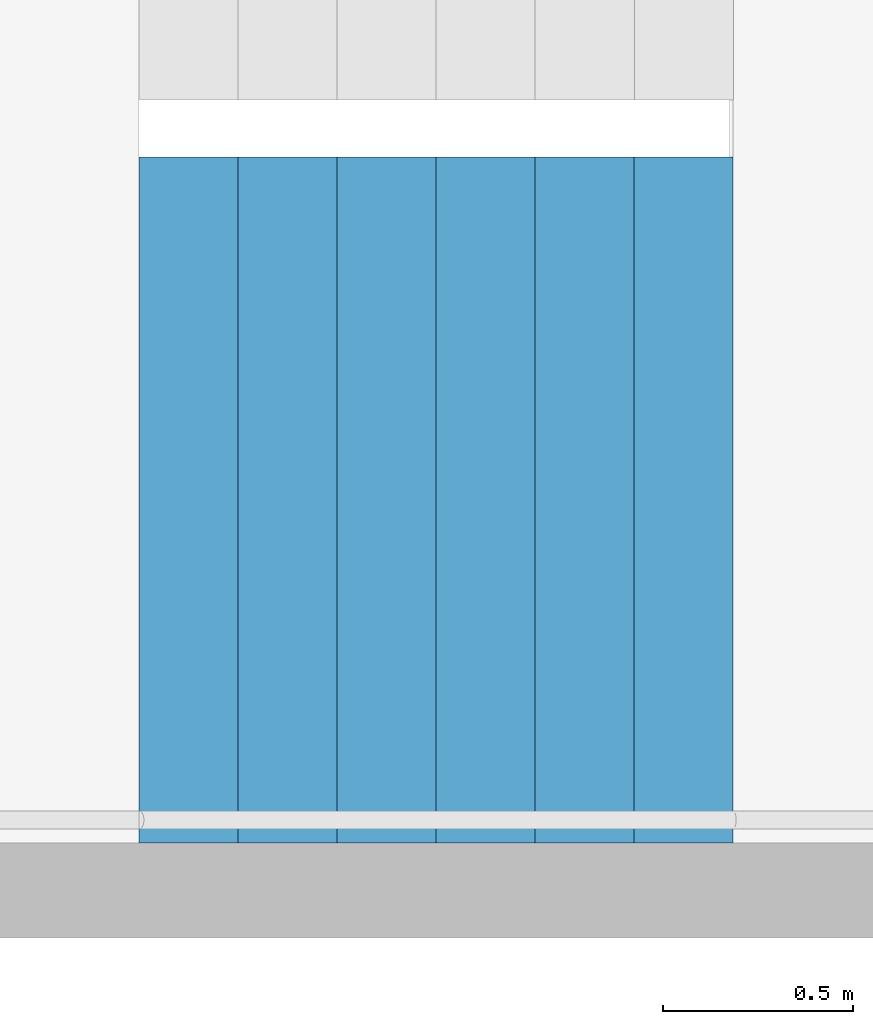
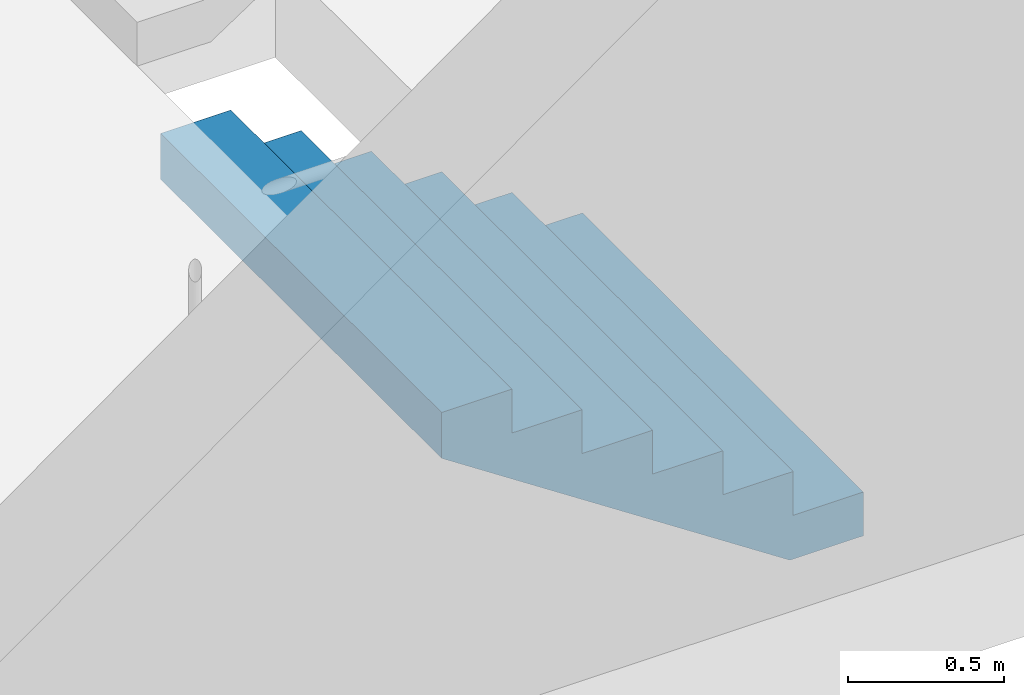
# One storey, part 39 of 53: 1 stair flight, 1 element without a shape of its own.
"""IFC4 building model written with IfcOpenShell, lengths in metres."""

from ifc_helpers import new_model, si_unit, direction, frame, origin, place, context, subcontext, project, spatial, triangles, material, type_object, element, aggregate, save


model = new_model("IFC4")

# Units and contexts
model_context = context("Model", 3, precision=1e-05, world=origin(), true_north=direction((0.0, 1.0)))
body_context = subcontext(model_context, "Body", "Model", "MODEL_VIEW")
ifc_project = project(units=[si_unit("LENGTHUNIT", "METRE"), si_unit("AREAUNIT", "SQUARE_METRE"), si_unit("VOLUMEUNIT", "CUBIC_METRE"), si_unit("PLANEANGLEUNIT", "RADIAN"), si_unit("MASSUNIT", "GRAM", prefix="KILO")], contexts=[model_context])

# Site, building, storey
site_placement = place(None, origin())
site = spatial("IfcSite", under=ifc_project, at=site_placement, CompositionType="ELEMENT")
building_placement = place(site_placement, origin())
building = spatial("IfcBuilding", under=site, at=building_placement, Name="Hakoniwa Tower and Hamabe Station Hall", CompositionType="ELEMENT")
storey_placement = place(building_placement, frame((0.0, 0.0, 15.0)))
storey = spatial("IfcBuildingStorey", under=building, at=storey_placement, Name="L03", CompositionType="ELEMENT", Elevation=15.0)

# Stair, stair flight
ifc_material_1 = material(Name="Concrete C40", Category="concrete")
stair_type = type_object("IfcStairType", Name="ESCAPE STAIR 1800", PredefinedType="HALF_TURN_STAIR", material=ifc_material_1)
stair_placement = place(storey_placement, origin())
stair = element("IfcStair", 1, at=stair_placement, inside=storey, type_object=stair_type, Name="Escape stair ST-3 L03", PredefinedType="HALF_TURN_STAIR")
ifc_material_2 = material(Name="Concrete C40", Category="concrete")
stair_flight_type = type_object("IfcStairFlightType", Name="STAIR FLIGHT 1800", PredefinedType="STRAIGHT", material=ifc_material_2)
stair_flight_placement = place(storey_placement, frame((24.39990234375, 4.64990234375, 0.0), z_axis=(0.0, 0.0, 1.0), x_axis=(-1.0, 0.0, 0.0)))
stair_flight = element("IfcStairFlight", 2, at=stair_flight_placement, type_object=stair_flight_type, Name="ST-3 flight 1", NumberOfRisers=7, NumberOfTreads=6, PredefinedType="STRAIGHT", RiserHeight=0.171428571, TreadLength=0.26, context=body_context, shape_type="Tessellation", body=[
    triangles([(0.0, 0.89990234375, 0.0), (0.260009765625, 0.89990234375, 0.0), (0.272216796875, 0.89990234375, 0.0), (0.52001953125, 0.89990234375, 0.163330078125), (0.780029296875, 0.89990234375, 0.334716796875), (1.0400390625, 0.89990234375, 0.506103515625), (1.300048828125, 0.89990234375, 0.677490234375), (1.56005859375, 0.89990234375, 0.84912109375), (1.56005859375, 0.89990234375, 1.028564453125), (1.300048828125, 0.89990234375, 1.028564453125), (1.300048828125, 0.89990234375, 0.857177734375), (1.0400390625, 0.89990234375, 0.857177734375), (1.0400390625, 0.89990234375, 0.685791015625), (0.780029296875, 0.89990234375, 0.685791015625), (0.780029296875, 0.89990234375, 0.514404296875), (0.52001953125, 0.89990234375, 0.514404296875), (0.52001953125, 0.89990234375, 0.3427734375), (0.272216796875, 0.89990234375, 0.3427734375), (0.260009765625, 0.89990234375, 0.3427734375), (0.260009765625, 0.89990234375, 0.17138671875), (0.0, 0.89990234375, 0.17138671875), (0.0, 0.06005859375, 0.0), (0.260009765625, 0.06005859375, 0.0), (0.272216796875, 0.06005859375, 0.0), (0.52001953125, 0.06005859375, 0.163330078125), (0.780029296875, 0.06005859375, 0.334716796875), (1.0400390625, 0.06005859375, 0.506103515625), (1.300048828125, 0.06005859375, 0.677490234375), (1.56005859375, 0.06005859375, 0.84912109375), (1.56005859375, 0.06005859375, 1.028564453125), (1.300048828125, 0.06005859375, 1.028564453125), (1.300048828125, 0.06005859375, 0.857177734375), (1.0400390625, 0.06005859375, 0.857177734375), (1.0400390625, 0.06005859375, 0.685791015625), (0.780029296875, 0.06005859375, 0.685791015625), (0.780029296875, 0.06005859375, 0.514404296875), (0.52001953125, 0.06005859375, 0.514404296875), (0.52001953125, 0.06005859375, 0.3427734375), (0.272216796875, 0.06005859375, 0.3427734375), (0.260009765625, 0.06005859375, 0.3427734375), (0.260009765625, 0.06005859375, 0.17138671875), (0.0, 0.06005859375, 0.17138671875), (0.0, 0.049072265625, 0.0), (0.260009765625, 0.049072265625, 0.0), (0.272216796875, 0.049072265625, 0.0), (0.52001953125, 0.049072265625, 0.163330078125), (0.780029296875, 0.049072265625, 0.334716796875), (1.0400390625, 0.049072265625, 0.506103515625), (1.300048828125, 0.049072265625, 0.677490234375), (1.56005859375, 0.049072265625, 0.84912109375), (1.56005859375, 0.049072265625, 1.028564453125), (1.300048828125, 0.049072265625, 1.028564453125), (1.300048828125, 0.049072265625, 0.857177734375), (1.0400390625, 0.049072265625, 0.857177734375), (1.0400390625, 0.049072265625, 0.685791015625), (0.780029296875, 0.049072265625, 0.685791015625), (0.780029296875, 0.049072265625, 0.514404296875), (0.52001953125, 0.049072265625, 0.514404296875), (0.52001953125, 0.049072265625, 0.3427734375), (0.272216796875, 0.049072265625, 0.3427734375), (0.260009765625, 0.049072265625, 0.3427734375), (0.260009765625, 0.049072265625, 0.17138671875), (0.0, 0.049072265625, 0.17138671875), (0.0, 0.0380859375, 0.0), (0.260009765625, 0.0380859375, 0.0), (0.272216796875, 0.0380859375, 0.0), (0.52001953125, 0.0380859375, 0.163330078125), (0.780029296875, 0.0380859375, 0.334716796875), (1.0400390625, 0.0380859375, 0.506103515625), (1.300048828125, 0.0380859375, 0.677490234375), (1.56005859375, 0.0380859375, 0.84912109375), (1.56005859375, 0.0380859375, 1.028564453125), (1.300048828125, 0.0380859375, 1.028564453125), (1.300048828125, 0.0380859375, 0.857177734375), (1.0400390625, 0.0380859375, 0.857177734375), (1.0400390625, 0.0380859375, 0.685791015625), (0.780029296875, 0.0380859375, 0.685791015625), (0.780029296875, 0.0380859375, 0.514404296875), (0.52001953125, 0.0380859375, 0.514404296875), (0.52001953125, 0.0380859375, 0.3427734375), (0.272216796875, 0.0380859375, 0.3427734375), (0.260009765625, 0.0380859375, 0.3427734375), (0.260009765625, 0.0380859375, 0.17138671875), (0.0, 0.0380859375, 0.17138671875), (0.0, 0.02734375, 0.0), (0.260009765625, 0.02734375, 0.0), (0.272216796875, 0.02734375, 0.0), (0.52001953125, 0.02734375, 0.163330078125), (0.780029296875, 0.02734375, 0.334716796875), (1.0400390625, 0.02734375, 0.506103515625), (1.300048828125, 0.02734375, 0.677490234375), (1.56005859375, 0.02734375, 0.84912109375), (1.56005859375, 0.02734375, 1.028564453125), (1.300048828125, 0.02734375, 1.028564453125), (1.300048828125, 0.02734375, 0.857177734375), (1.0400390625, 0.02734375, 0.857177734375), (1.0400390625, 0.02734375, 0.685791015625), (0.780029296875, 0.02734375, 0.685791015625), (0.780029296875, 0.02734375, 0.514404296875), (0.52001953125, 0.02734375, 0.514404296875), (0.52001953125, 0.02734375, 0.3427734375), (0.272216796875, 0.02734375, 0.3427734375), (0.260009765625, 0.02734375, 0.3427734375), (0.260009765625, 0.02734375, 0.17138671875), (0.0, 0.02734375, 0.17138671875), (0.0, 0.016357421875, 0.0), (0.260009765625, 0.016357421875, 0.0), (0.272216796875, 0.016357421875, 0.0), (0.52001953125, 0.016357421875, 0.163330078125), (0.780029296875, 0.016357421875, 0.334716796875), (1.0400390625, 0.016357421875, 0.506103515625), (1.300048828125, 0.016357421875, 0.677490234375), (1.56005859375, 0.016357421875, 0.84912109375), (1.56005859375, 0.016357421875, 1.028564453125), (1.300048828125, 0.016357421875, 1.028564453125), (1.300048828125, 0.016357421875, 0.857177734375), (1.0400390625, 0.016357421875, 0.857177734375), (1.0400390625, 0.016357421875, 0.685791015625), (0.780029296875, 0.016357421875, 0.685791015625), (0.780029296875, 0.016357421875, 0.514404296875), (0.52001953125, 0.016357421875, 0.514404296875), (0.52001953125, 0.016357421875, 0.3427734375), (0.272216796875, 0.016357421875, 0.3427734375), (0.260009765625, 0.016357421875, 0.3427734375), (0.260009765625, 0.016357421875, 0.17138671875), (0.0, 0.016357421875, 0.17138671875), (0.0, 0.00537109375, 0.0), (0.260009765625, 0.00537109375, 0.0), (0.272216796875, 0.00537109375, 0.0), (0.52001953125, 0.00537109375, 0.163330078125), (0.780029296875, 0.00537109375, 0.334716796875), (1.0400390625, 0.00537109375, 0.506103515625), (1.300048828125, 0.00537109375, 0.677490234375), (1.56005859375, 0.00537109375, 0.84912109375), (1.56005859375, 0.00537109375, 1.028564453125), (1.300048828125, 0.00537109375, 1.028564453125), (1.300048828125, 0.00537109375, 0.857177734375), (1.0400390625, 0.00537109375, 0.857177734375), (1.0400390625, 0.00537109375, 0.685791015625), (0.780029296875, 0.00537109375, 0.685791015625), (0.780029296875, 0.00537109375, 0.514404296875), (0.52001953125, 0.00537109375, 0.514404296875), (0.52001953125, 0.00537109375, 0.3427734375), (0.272216796875, 0.00537109375, 0.3427734375), (0.260009765625, 0.00537109375, 0.3427734375), (0.260009765625, 0.00537109375, 0.17138671875), (0.0, 0.00537109375, 0.17138671875), (0.0, -0.00537109375, 0.0), (0.260009765625, -0.00537109375, 0.0), (0.272216796875, -0.00537109375, 0.0), (0.52001953125, -0.00537109375, 0.163330078125), (0.780029296875, -0.00537109375, 0.334716796875), (1.0400390625, -0.00537109375, 0.506103515625), (1.300048828125, -0.00537109375, 0.677490234375), (1.56005859375, -0.00537109375, 0.84912109375), (1.56005859375, -0.00537109375, 1.028564453125), (1.300048828125, -0.00537109375, 1.028564453125), (1.300048828125, -0.00537109375, 0.857177734375), (1.0400390625, -0.00537109375, 0.857177734375), (1.0400390625, -0.00537109375, 0.685791015625), (0.780029296875, -0.00537109375, 0.685791015625), (0.780029296875, -0.00537109375, 0.514404296875), (0.52001953125, -0.00537109375, 0.514404296875), (0.52001953125, -0.00537109375, 0.3427734375), (0.272216796875, -0.00537109375, 0.3427734375), (0.260009765625, -0.00537109375, 0.3427734375), (0.260009765625, -0.00537109375, 0.17138671875), (0.0, -0.00537109375, 0.17138671875), (0.0, -0.016357421875, 0.0), (0.260009765625, -0.016357421875, 0.0), (0.272216796875, -0.016357421875, 0.0), (0.52001953125, -0.016357421875, 0.163330078125), (0.780029296875, -0.016357421875, 0.334716796875), (1.0400390625, -0.016357421875, 0.506103515625), (1.300048828125, -0.016357421875, 0.677490234375), (1.56005859375, -0.016357421875, 0.84912109375), (1.56005859375, -0.016357421875, 1.028564453125), (1.300048828125, -0.016357421875, 1.028564453125), (1.300048828125, -0.016357421875, 0.857177734375), (1.0400390625, -0.016357421875, 0.857177734375), (1.0400390625, -0.016357421875, 0.685791015625), (0.780029296875, -0.016357421875, 0.685791015625), (0.780029296875, -0.016357421875, 0.514404296875), (0.52001953125, -0.016357421875, 0.514404296875), (0.52001953125, -0.016357421875, 0.3427734375), (0.272216796875, -0.016357421875, 0.3427734375), (0.260009765625, -0.016357421875, 0.3427734375), (0.260009765625, -0.016357421875, 0.17138671875), (0.0, -0.016357421875, 0.17138671875), (0.0, -0.02734375, 0.0), (0.260009765625, -0.02734375, 0.0), (0.272216796875, -0.02734375, 0.0), (0.52001953125, -0.02734375, 0.163330078125), (0.780029296875, -0.02734375, 0.334716796875), (1.0400390625, -0.02734375, 0.506103515625), (1.300048828125, -0.02734375, 0.677490234375), (1.56005859375, -0.02734375, 0.84912109375), (1.56005859375, -0.02734375, 1.028564453125), (1.300048828125, -0.02734375, 1.028564453125), (1.300048828125, -0.02734375, 0.857177734375), (1.0400390625, -0.02734375, 0.857177734375), (1.0400390625, -0.02734375, 0.685791015625), (0.780029296875, -0.02734375, 0.685791015625), (0.780029296875, -0.02734375, 0.514404296875), (0.52001953125, -0.02734375, 0.514404296875), (0.52001953125, -0.02734375, 0.3427734375), (0.272216796875, -0.02734375, 0.3427734375), (0.260009765625, -0.02734375, 0.3427734375), (0.260009765625, -0.02734375, 0.17138671875), (0.0, -0.02734375, 0.17138671875), (0.0, -0.0380859375, 0.0), (0.260009765625, -0.0380859375, 0.0), (0.272216796875, -0.0380859375, 0.0), (0.52001953125, -0.0380859375, 0.163330078125), (0.780029296875, -0.0380859375, 0.334716796875), (1.0400390625, -0.0380859375, 0.506103515625), (1.300048828125, -0.0380859375, 0.677490234375), (1.56005859375, -0.0380859375, 0.84912109375), (1.56005859375, -0.0380859375, 1.028564453125), (1.300048828125, -0.0380859375, 1.028564453125), (1.300048828125, -0.0380859375, 0.857177734375), (1.0400390625, -0.0380859375, 0.857177734375), (1.0400390625, -0.0380859375, 0.685791015625), (0.780029296875, -0.0380859375, 0.685791015625), (0.780029296875, -0.0380859375, 0.514404296875), (0.52001953125, -0.0380859375, 0.514404296875), (0.52001953125, -0.0380859375, 0.3427734375), (0.272216796875, -0.0380859375, 0.3427734375), (0.260009765625, -0.0380859375, 0.3427734375), (0.260009765625, -0.0380859375, 0.17138671875), (0.0, -0.0380859375, 0.17138671875), (0.0, -0.049072265625, 0.0), (0.260009765625, -0.049072265625, 0.0), (0.272216796875, -0.049072265625, 0.0), (0.52001953125, -0.049072265625, 0.163330078125), (0.780029296875, -0.049072265625, 0.334716796875), (1.0400390625, -0.049072265625, 0.506103515625), (1.300048828125, -0.049072265625, 0.677490234375), (1.56005859375, -0.049072265625, 0.84912109375), (1.56005859375, -0.049072265625, 1.028564453125), (1.300048828125, -0.049072265625, 1.028564453125), (1.300048828125, -0.049072265625, 0.857177734375), (1.0400390625, -0.049072265625, 0.857177734375), (1.0400390625, -0.049072265625, 0.685791015625), (0.780029296875, -0.049072265625, 0.685791015625), (0.780029296875, -0.049072265625, 0.514404296875), (0.52001953125, -0.049072265625, 0.514404296875), (0.52001953125, -0.049072265625, 0.3427734375), (0.272216796875, -0.049072265625, 0.3427734375), (0.260009765625, -0.049072265625, 0.3427734375), (0.260009765625, -0.049072265625, 0.17138671875), (0.0, -0.049072265625, 0.17138671875), (0.0, -0.06005859375, 0.0), (0.260009765625, -0.06005859375, 0.0), (0.272216796875, -0.06005859375, 0.0), (0.52001953125, -0.06005859375, 0.163330078125), (0.780029296875, -0.06005859375, 0.334716796875), (1.0400390625, -0.06005859375, 0.506103515625), (1.300048828125, -0.06005859375, 0.677490234375), (1.56005859375, -0.06005859375, 0.84912109375), (1.56005859375, -0.06005859375, 1.028564453125), (1.300048828125, -0.06005859375, 1.028564453125), (1.300048828125, -0.06005859375, 0.857177734375), (1.0400390625, -0.06005859375, 0.857177734375), (1.0400390625, -0.06005859375, 0.685791015625), (0.780029296875, -0.06005859375, 0.685791015625), (0.780029296875, -0.06005859375, 0.514404296875), (0.52001953125, -0.06005859375, 0.514404296875), (0.52001953125, -0.06005859375, 0.3427734375), (0.272216796875, -0.06005859375, 0.3427734375), (0.260009765625, -0.06005859375, 0.3427734375), (0.260009765625, -0.06005859375, 0.17138671875), (0.0, -0.06005859375, 0.17138671875), (0.0, -0.89990234375, 0.0), (0.260009765625, -0.89990234375, 0.0), (0.272216796875, -0.89990234375, 0.0), (0.52001953125, -0.89990234375, 0.163330078125), (0.780029296875, -0.89990234375, 0.334716796875), (1.0400390625, -0.89990234375, 0.506103515625), (1.300048828125, -0.89990234375, 0.677490234375), (1.56005859375, -0.89990234375, 0.84912109375), (1.56005859375, -0.89990234375, 1.028564453125), (1.300048828125, -0.89990234375, 1.028564453125), (1.300048828125, -0.89990234375, 0.857177734375), (1.0400390625, -0.89990234375, 0.857177734375), (1.0400390625, -0.89990234375, 0.685791015625), (0.780029296875, -0.89990234375, 0.685791015625), (0.780029296875, -0.89990234375, 0.514404296875), (0.52001953125, -0.89990234375, 0.514404296875), (0.52001953125, -0.89990234375, 0.3427734375), (0.272216796875, -0.89990234375, 0.3427734375), (0.260009765625, -0.89990234375, 0.3427734375), (0.260009765625, -0.89990234375, 0.17138671875), (0.0, -0.89990234375, 0.17138671875)], [[2, 21, 20], [275, 293, 294], [2, 1, 21], [275, 294, 274], [3, 19, 18], [276, 291, 292], [3, 20, 19], [276, 292, 293], [3, 2, 20], [276, 293, 275], [4, 18, 17], [277, 290, 291], [4, 3, 18], [277, 291, 276], [5, 16, 15], [278, 288, 289], [5, 17, 16], [278, 289, 290], [5, 4, 17], [278, 290, 277], [6, 14, 13], [279, 286, 287], [6, 15, 14], [279, 287, 288], [6, 5, 15], [279, 288, 278], [7, 12, 11], [280, 284, 285], [7, 13, 12], [280, 285, 286], [7, 6, 13], [280, 286, 279], [8, 10, 9], [281, 282, 283], [8, 11, 10], [281, 283, 284], [8, 7, 11], [281, 284, 280], [1, 2, 23], [1, 23, 22], [22, 23, 44], [22, 44, 43], [43, 44, 65], [43, 65, 64], [64, 65, 86], [64, 86, 85], [85, 86, 107], [85, 107, 106], [106, 107, 128], [106, 128, 127], [127, 128, 149], [127, 149, 148], [148, 149, 170], [148, 170, 169], [169, 170, 191], [169, 191, 190], [190, 191, 212], [190, 212, 211], [211, 212, 233], [211, 233, 232], [232, 233, 254], [232, 254, 253], [253, 254, 275], [253, 275, 274], [2, 3, 24], [2, 24, 23], [23, 24, 45], [23, 45, 44], [44, 45, 66], [44, 66, 65], [65, 66, 87], [65, 87, 86], [86, 87, 108], [86, 108, 107], [107, 108, 129], [107, 129, 128], [128, 129, 150], [128, 150, 149], [149, 150, 171], [149, 171, 170], [170, 171, 192], [170, 192, 191], [191, 192, 213], [191, 213, 212], [212, 213, 234], [212, 234, 233], [233, 234, 255], [233, 255, 254], [254, 255, 276], [254, 276, 275], [3, 4, 25], [3, 25, 24], [24, 25, 46], [24, 46, 45], [45, 46, 67], [45, 67, 66], [66, 67, 88], [66, 88, 87], [87, 88, 109], [87, 109, 108], [108, 109, 130], [108, 130, 129], [129, 130, 151], [129, 151, 150], [150, 151, 172], [150, 172, 171], [171, 172, 193], [171, 193, 192], [192, 193, 214], [192, 214, 213], [213, 214, 235], [213, 235, 234], [234, 235, 256], [234, 256, 255], [255, 256, 277], [255, 277, 276], [4, 5, 26], [4, 26, 25], [25, 26, 47], [25, 47, 46], [46, 47, 68], [46, 68, 67], [67, 68, 89], [67, 89, 88], [88, 89, 110], [88, 110, 109], [109, 110, 131], [109, 131, 130], [130, 131, 152], [130, 152, 151], [151, 152, 173], [151, 173, 172], [172, 173, 194], [172, 194, 193], [193, 194, 215], [193, 215, 214], [214, 215, 236], [214, 236, 235], [235, 236, 257], [235, 257, 256], [256, 257, 278], [256, 278, 277], [5, 6, 27], [5, 27, 26], [26, 27, 48], [26, 48, 47], [47, 48, 69], [47, 69, 68], [68, 69, 90], [68, 90, 89], [89, 90, 111], [89, 111, 110], [110, 111, 132], [110, 132, 131], [131, 132, 153], [131, 153, 152], [152, 153, 174], [152, 174, 173], [173, 174, 195], [173, 195, 194], [194, 195, 216], [194, 216, 215], [215, 216, 237], [215, 237, 236], [236, 237, 258], [236, 258, 257], [257, 258, 279], [257, 279, 278], [6, 7, 28], [6, 28, 27], [27, 28, 49], [27, 49, 48], [48, 49, 70], [48, 70, 69], [69, 70, 91], [69, 91, 90], [90, 91, 112], [90, 112, 111], [111, 112, 133], [111, 133, 132], [132, 133, 154], [132, 154, 153], [153, 154, 175], [153, 175, 174], [174, 175, 196], [174, 196, 195], [195, 196, 217], [195, 217, 216], [216, 217, 238], [216, 238, 237], [237, 238, 259], [237, 259, 258], [258, 259, 280], [258, 280, 279], [7, 8, 29], [7, 29, 28], [28, 29, 50], [28, 50, 49], [49, 50, 71], [49, 71, 70], [70, 71, 92], [70, 92, 91], [91, 92, 113], [91, 113, 112], [112, 113, 134], [112, 134, 133], [133, 134, 155], [133, 155, 154], [154, 155, 176], [154, 176, 175], [175, 176, 197], [175, 197, 196], [196, 197, 218], [196, 218, 217], [217, 218, 239], [217, 239, 238], [238, 239, 260], [238, 260, 259], [259, 260, 281], [259, 281, 280], [8, 9, 30], [8, 30, 29], [29, 30, 51], [29, 51, 50], [50, 51, 72], [50, 72, 71], [71, 72, 93], [71, 93, 92], [92, 93, 114], [92, 114, 113], [113, 114, 135], [113, 135, 134], [134, 135, 156], [134, 156, 155], [155, 156, 177], [155, 177, 176], [176, 177, 198], [176, 198, 197], [197, 198, 219], [197, 219, 218], [218, 219, 240], [218, 240, 239], [239, 240, 261], [239, 261, 260], [260, 261, 282], [260, 282, 281], [9, 10, 31], [9, 31, 30], [30, 31, 52], [30, 52, 51], [51, 52, 73], [51, 73, 72], [72, 73, 94], [72, 94, 93], [93, 94, 115], [93, 115, 114], [114, 115, 136], [114, 136, 135], [135, 136, 157], [135, 157, 156], [156, 157, 178], [156, 178, 177], [177, 178, 199], [177, 199, 198], [198, 199, 220], [198, 220, 219], [219, 220, 241], [219, 241, 240], [240, 241, 262], [240, 262, 261], [261, 262, 283], [261, 283, 282], [10, 11, 32], [10, 32, 31], [31, 32, 53], [31, 53, 52], [52, 53, 74], [52, 74, 73], [73, 74, 95], [73, 95, 94], [94, 95, 116], [94, 116, 115], [115, 116, 137], [115, 137, 136], [136, 137, 158], [136, 158, 157], [157, 158, 179], [157, 179, 178], [178, 179, 200], [178, 200, 199], [199, 200, 221], [199, 221, 220], [220, 221, 242], [220, 242, 241], [241, 242, 263], [241, 263, 262], [262, 263, 284], [262, 284, 283], [11, 12, 33], [11, 33, 32], [32, 33, 54], [32, 54, 53], [53, 54, 75], [53, 75, 74], [74, 75, 96], [74, 96, 95], [95, 96, 117], [95, 117, 116], [116, 117, 138], [116, 138, 137], [137, 138, 159], [137, 159, 158], [158, 159, 180], [158, 180, 179], [179, 180, 201], [179, 201, 200], [200, 201, 222], [200, 222, 221], [221, 222, 243], [221, 243, 242], [242, 243, 264], [242, 264, 263], [263, 264, 285], [263, 285, 284], [12, 13, 34], [12, 34, 33], [33, 34, 55], [33, 55, 54], [54, 55, 76], [54, 76, 75], [75, 76, 97], [75, 97, 96], [96, 97, 118], [96, 118, 117], [117, 118, 139], [117, 139, 138], [138, 139, 160], [138, 160, 159], [159, 160, 181], [159, 181, 180], [180, 181, 202], [180, 202, 201], [201, 202, 223], [201, 223, 222], [222, 223, 244], [222, 244, 243], [243, 244, 265], [243, 265, 264], [264, 265, 286], [264, 286, 285], [13, 14, 35], [13, 35, 34], [34, 35, 56], [34, 56, 55], [55, 56, 77], [55, 77, 76], [76, 77, 98], [76, 98, 97], [97, 98, 119], [97, 119, 118], [118, 119, 140], [118, 140, 139], [139, 140, 161], [139, 161, 160], [160, 161, 182], [160, 182, 181], [181, 182, 203], [181, 203, 202], [202, 203, 224], [202, 224, 223], [223, 224, 245], [223, 245, 244], [244, 245, 266], [244, 266, 265], [265, 266, 287], [265, 287, 286], [14, 15, 36], [14, 36, 35], [35, 36, 57], [35, 57, 56], [56, 57, 78], [56, 78, 77], [77, 78, 99], [77, 99, 98], [98, 99, 120], [98, 120, 119], [119, 120, 141], [119, 141, 140], [140, 141, 162], [140, 162, 161], [161, 162, 183], [161, 183, 182], [182, 183, 204], [182, 204, 203], [203, 204, 225], [203, 225, 224], [224, 225, 246], [224, 246, 245], [245, 246, 267], [245, 267, 266], [266, 267, 288], [266, 288, 287], [15, 16, 37], [15, 37, 36], [36, 37, 58], [36, 58, 57], [57, 58, 79], [57, 79, 78], [78, 79, 100], [78, 100, 99], [99, 100, 121], [99, 121, 120], [120, 121, 142], [120, 142, 141], [141, 142, 163], [141, 163, 162], [162, 163, 184], [162, 184, 183], [183, 184, 205], [183, 205, 204], [204, 205, 226], [204, 226, 225], [225, 226, 247], [225, 247, 246], [246, 247, 268], [246, 268, 267], [267, 268, 289], [267, 289, 288], [16, 17, 38], [16, 38, 37], [37, 38, 59], [37, 59, 58], [58, 59, 80], [58, 80, 79], [79, 80, 101], [79, 101, 100], [100, 101, 122], [100, 122, 121], [121, 122, 143], [121, 143, 142], [142, 143, 164], [142, 164, 163], [163, 164, 185], [163, 185, 184], [184, 185, 206], [184, 206, 205], [205, 206, 227], [205, 227, 226], [226, 227, 248], [226, 248, 247], [247, 248, 269], [247, 269, 268], [268, 269, 290], [268, 290, 289], [17, 18, 39], [17, 39, 38], [38, 39, 60], [38, 60, 59], [59, 60, 81], [59, 81, 80], [80, 81, 102], [80, 102, 101], [101, 102, 123], [101, 123, 122], [122, 123, 144], [122, 144, 143], [143, 144, 165], [143, 165, 164], [164, 165, 186], [164, 186, 185], [185, 186, 207], [185, 207, 206], [206, 207, 228], [206, 228, 227], [227, 228, 249], [227, 249, 248], [248, 249, 270], [248, 270, 269], [269, 270, 291], [269, 291, 290], [18, 19, 40], [18, 40, 39], [39, 40, 61], [39, 61, 60], [60, 61, 82], [60, 82, 81], [81, 82, 103], [81, 103, 102], [102, 103, 124], [102, 124, 123], [123, 124, 145], [123, 145, 144], [144, 145, 166], [144, 166, 165], [165, 166, 187], [165, 187, 186], [186, 187, 208], [186, 208, 207], [207, 208, 229], [207, 229, 228], [228, 229, 250], [228, 250, 249], [249, 250, 271], [249, 271, 270], [270, 271, 292], [270, 292, 291], [19, 20, 41], [19, 41, 40], [40, 41, 62], [40, 62, 61], [61, 62, 83], [61, 83, 82], [82, 83, 104], [82, 104, 103], [103, 104, 125], [103, 125, 124], [124, 125, 146], [124, 146, 145], [145, 146, 167], [145, 167, 166], [166, 167, 188], [166, 188, 187], [187, 188, 209], [187, 209, 208], [208, 209, 230], [208, 230, 229], [229, 230, 251], [229, 251, 250], [250, 251, 272], [250, 272, 271], [271, 272, 293], [271, 293, 292], [20, 21, 42], [20, 42, 41], [41, 42, 63], [41, 63, 62], [62, 63, 84], [62, 84, 83], [83, 84, 105], [83, 105, 104], [104, 105, 126], [104, 126, 125], [125, 126, 147], [125, 147, 146], [146, 147, 168], [146, 168, 167], [167, 168, 189], [167, 189, 188], [188, 189, 210], [188, 210, 209], [209, 210, 231], [209, 231, 230], [230, 231, 252], [230, 252, 251], [251, 252, 273], [251, 273, 272], [272, 273, 294], [272, 294, 293], [21, 1, 22], [21, 22, 42], [42, 22, 43], [42, 43, 63], [63, 43, 64], [63, 64, 84], [84, 64, 85], [84, 85, 105], [105, 85, 106], [105, 106, 126], [126, 106, 127], [126, 127, 147], [147, 127, 148], [147, 148, 168], [168, 148, 169], [168, 169, 189], [189, 169, 190], [189, 190, 210], [210, 190, 211], [210, 211, 231], [231, 211, 232], [231, 232, 252], [252, 232, 253], [252, 253, 273], [273, 253, 274], [273, 274, 294]], closed=True),
])
aggregate(stair, [stair_flight])

save(model, "model.ifc")
